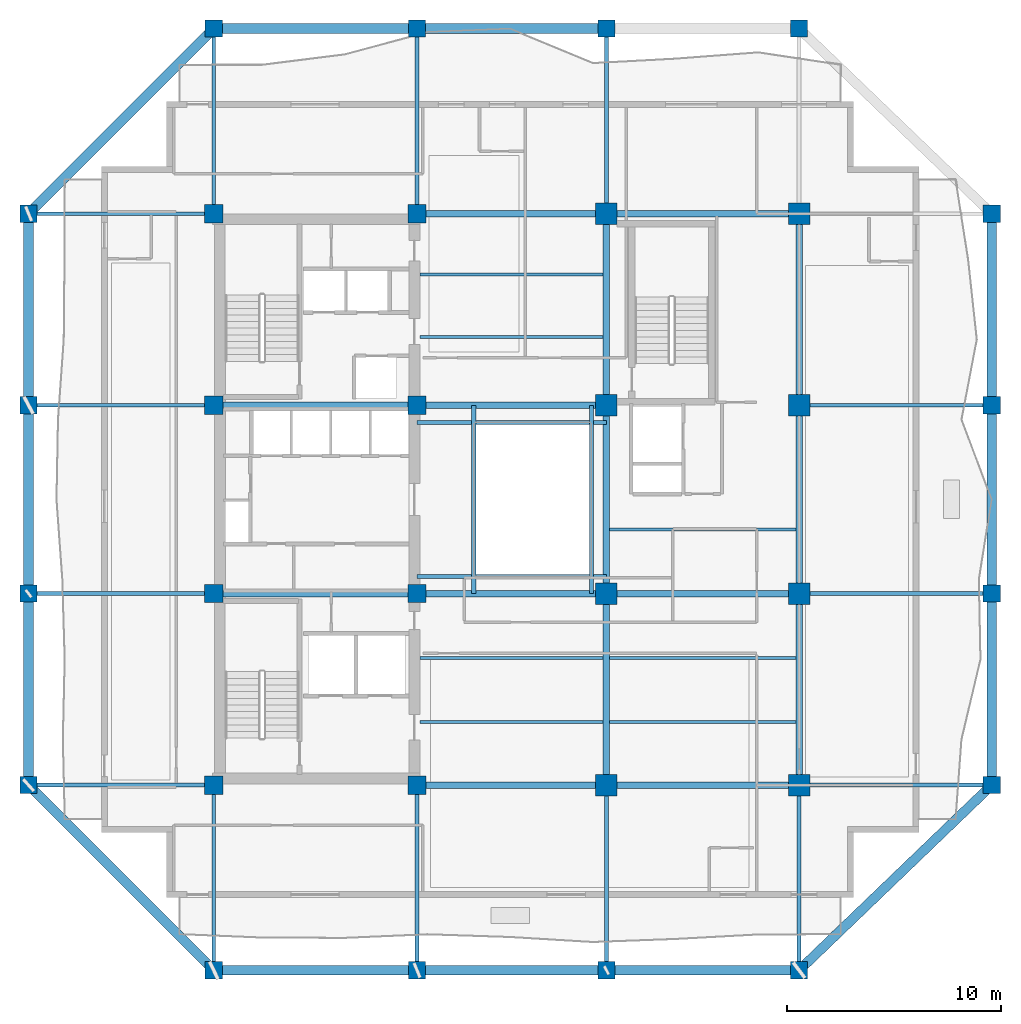
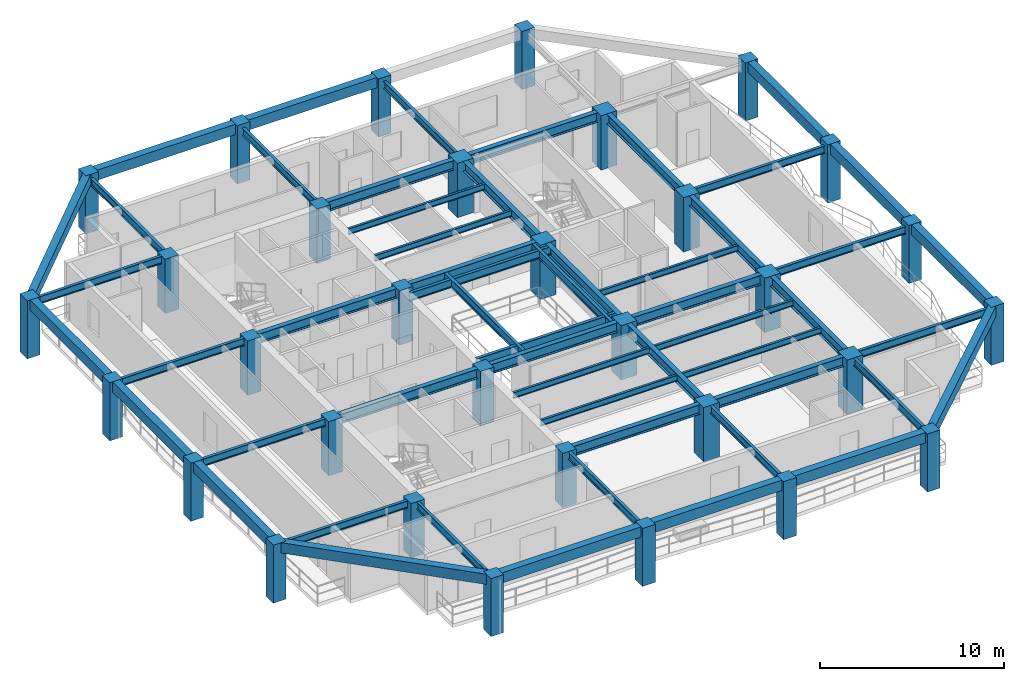
# One storey, part 1 of 10: 54 beams, 32 columns.
"""IFC4 building model written with IfcOpenShell, lengths in metres."""

from ifc_helpers import new_model, si_unit, direction, frame, origin, origin_2d, place, context, subcontext, project, spatial, rectangle, i_section, extrude, material, material_profile, profile_set, type_object, element, save


model = new_model("IFC4")

# Units and contexts
model_context = context("Model", 3, precision=1e-05, world=origin(), true_north=direction((0.0, 1.0)))
body_context = subcontext(model_context, "Body", "Model", "MODEL_VIEW")
ifc_project = project(units=[si_unit("LENGTHUNIT", "METRE"), si_unit("AREAUNIT", "SQUARE_METRE"), si_unit("VOLUMEUNIT", "CUBIC_METRE"), si_unit("PLANEANGLEUNIT", "RADIAN"), si_unit("MASSUNIT", "GRAM", prefix="KILO")], contexts=[model_context])

# Site, building, storey
site_placement = place(None, origin())
site = spatial("IfcSite", under=ifc_project, at=site_placement, CompositionType="ELEMENT")
building_placement = place(site_placement, origin())
building = spatial("IfcBuilding", under=site, at=building_placement, Name="Kundavana Baori Tower", CompositionType="ELEMENT")
storey_placement = place(building_placement, frame((0.0, 0.0, 111.699951171875)))
storey = spatial("IfcBuildingStorey", under=building, at=storey_placement, Name="L26", CompositionType="ELEMENT", Elevation=111.699951171875)

# Columns
ifc_material_1 = material(Name="Concrete C50/60", Category="concrete")
ifc_material_profile_1 = material_profile(ifc_material_1, rectangle(XDim=0.800048828125, YDim=0.800048828125, at=origin_2d()), Name="RC PF 800x800")
ifc_profile_set_1 = profile_set([ifc_material_profile_1], Name="Concrete C50/60")
column_type_1 = type_object("IfcColumnType", Name="COL-PF-800", PredefinedType="COLUMN", material=ifc_profile_set_1)
for number, where, z_axis, x_axis, name in (
    (1, (15.449951171875, 6.60009765625, 0.0), (0.0, 0.0, 1.0), (1.0, 0.0, 0.0), "L26 Stone-Clad Perimeter Frame Column PF-S1"),
    (2, (15.449951171875, 50.60009765625, 0.0), (0.0, 0.0, 1.0), (1.0, 0.0, 0.0), "L26 Stone-Clad Perimeter Frame Column PF-N1"),
    (3, (24.949951171875, 6.60009765625, 0.0), (0.0, 0.0, 1.0), (1.0, 0.0, 0.0), "L26 Stone-Clad Perimeter Frame Column PF-S2"),
    (4, (24.949951171875, 50.60009765625, 0.0), (0.0, 0.0, 1.0), (1.0, 0.0, 0.0), "L26 Stone-Clad Perimeter Frame Column PF-N2"),
    (5, (33.800048828125, 6.60009765625, 0.0), (0.0, 0.0, 1.0), (1.0, 0.0, 0.0), "L26 Stone-Clad Perimeter Frame Column PF-S3"),
    (6, (33.800048828125, 50.60009765625, 0.0), (0.0, 0.0, 1.0), (1.0, 0.0, 0.0), "L26 Stone-Clad Perimeter Frame Column PF-N3"),
    (7, (42.800048828125, 6.60009765625, 0.0), (0.0, 0.0, 1.0), (1.0, 0.0, 0.0), "L26 Stone-Clad Perimeter Frame Column PF-S4"),
    (8, (42.800048828125, 50.60009765625, 0.0), (0.0, 0.0, 1.0), (1.0, 0.0, 0.0), "L26 Stone-Clad Perimeter Frame Column PF-N4"),
    (9, (6.800048828125, 15.25, 0.0), (0.0, 0.0, 1.0), (1.0, 0.0, 0.0), "L26 Stone-Clad Perimeter Frame Column PF-W1"),
    (10, (51.800048828125, 15.25, 0.0), (0.0, 0.0, 1.0), (1.0, 0.0, 0.0), "L26 Stone-Clad Perimeter Frame Column PF-E1"),
    (11, (6.800048828125, 24.199951171875, 0.0), (0.0, 0.0, 1.0), (1.0, 0.0, 0.0), "L26 Stone-Clad Perimeter Frame Column PF-W2"),
    (12, (51.800048828125, 24.199951171875, 0.0), (0.0, 0.0, 1.0), (1.0, 0.0, 0.0), "L26 Stone-Clad Perimeter Frame Column PF-E2"),
    (13, (6.800048828125, 33.0, 0.0), (0.0, 0.0, 1.0), (1.0, 0.0, 0.0), "L26 Stone-Clad Perimeter Frame Column PF-W3"),
    (14, (51.800048828125, 33.0, 0.0), (0.0, 0.0, 1.0), (1.0, 0.0, 0.0), "L26 Stone-Clad Perimeter Frame Column PF-E3"),
    (15, (6.800048828125, 41.949951171875, 0.0), (0.0, 0.0, 1.0), (1.0, 0.0, 0.0), "L26 Stone-Clad Perimeter Frame Column PF-W4"),
    (16, (51.800048828125, 41.949951171875, 0.0), (0.0, 0.0, 1.0), (1.0, 0.0, 0.0), "L26 Stone-Clad Perimeter Frame Column PF-E4"),
):
    element("IfcColumn", number, at=place(storey_placement, frame(where, z_axis=z_axis, x_axis=x_axis)), inside=storey, type_object=column_type_1, Name=name, PredefinedType="COLUMN", context=body_context, shape_type="SweptSolid", body=[
        extrude(rectangle(XDim=0.800048828125, YDim=0.800048828125, at=origin_2d()), origin(), (0.0, 0.0, 1.0), 3.85009765625),
    ])
ifc_material_2 = material(Name="Concrete C50/60", Category="concrete")
ifc_material_profile_2 = material_profile(ifc_material_2, rectangle(XDim=1.0, YDim=1.0, at=origin_2d()), Name="RC 1000x1000")
ifc_profile_set_2 = profile_set([ifc_material_profile_2], Name="Concrete C50/60")
column_type_2 = type_object("IfcColumnType", Name="COL-RC-1000", PredefinedType="COLUMN", material=ifc_profile_set_2)
for number, where, z_axis, x_axis, name in (
    (17, (33.800048828125, 15.25, 0.0), (0.0, 0.0, 1.0), (1.0, 0.0, 0.0), "L26 Interior Column IC-5C"),
    (18, (33.800048828125, 24.199951171875, 0.0), (0.0, 0.0, 1.0), (1.0, 0.0, 0.0), "L26 Interior Column IC-5D"),
    (19, (33.800048828125, 33.0, 0.0), (0.0, 0.0, 1.0), (1.0, 0.0, 0.0), "L26 Interior Column IC-5E"),
    (20, (33.800048828125, 41.949951171875, 0.0), (0.0, 0.0, 1.0), (1.0, 0.0, 0.0), "L26 Interior Column IC-5F"),
    (21, (42.800048828125, 15.25, 0.0), (0.0, 0.0, 1.0), (1.0, 0.0, 0.0), "L26 Interior Column IC-6C"),
    (22, (42.800048828125, 24.199951171875, 0.0), (0.0, 0.0, 1.0), (1.0, 0.0, 0.0), "L26 Interior Column IC-6D"),
    (23, (42.800048828125, 33.0, 0.0), (0.0, 0.0, 1.0), (1.0, 0.0, 0.0), "L26 Interior Column IC-6E"),
    (24, (42.800048828125, 41.949951171875, 0.0), (0.0, 0.0, 1.0), (1.0, 0.0, 0.0), "L26 Interior Column IC-6F"),
):
    element("IfcColumn", number, at=place(storey_placement, frame(where, z_axis=z_axis, x_axis=x_axis)), inside=storey, type_object=column_type_2, Name=name, PredefinedType="COLUMN", context=body_context, shape_type="SweptSolid", body=[
        extrude(rectangle(XDim=1.0, YDim=1.0, at=origin_2d()), origin(), (0.0, 0.0, 1.0), 3.60009765625),
    ])
ifc_material_3 = material(Name="Concrete C50/60", Category="concrete")
ifc_material_profile_3 = material_profile(ifc_material_3, rectangle(XDim=0.85009765625, YDim=0.85009765625, at=origin_2d()), Name="RC 850x850")
ifc_profile_set_3 = profile_set([ifc_material_profile_3], Name="Concrete C50/60")
column_type_3 = type_object("IfcColumnType", Name="COL-RC-850", PredefinedType="COLUMN", material=ifc_profile_set_3)
for number, where, z_axis, x_axis, name in (
    (25, (15.449951171875, 15.25, 0.0), (0.0, 0.0, 1.0), (1.0, 0.0, 0.0), "L26 Interior Column IC-3C"),
    (26, (15.449951171875, 24.199951171875, 0.0), (0.0, 0.0, 1.0), (1.0, 0.0, 0.0), "L26 Interior Column IC-3D"),
    (27, (15.449951171875, 33.0, 0.0), (0.0, 0.0, 1.0), (1.0, 0.0, 0.0), "L26 Interior Column IC-3E"),
    (28, (15.449951171875, 41.949951171875, 0.0), (0.0, 0.0, 1.0), (1.0, 0.0, 0.0), "L26 Interior Column IC-3F"),
    (29, (24.949951171875, 15.25, 0.0), (0.0, 0.0, 1.0), (1.0, 0.0, 0.0), "L26 Interior Column IC-4C"),
    (30, (24.949951171875, 24.199951171875, 0.0), (0.0, 0.0, 1.0), (1.0, 0.0, 0.0), "L26 Interior Column IC-4D"),
    (31, (24.949951171875, 33.0, 0.0), (0.0, 0.0, 1.0), (1.0, 0.0, 0.0), "L26 Interior Column IC-4E"),
    (32, (24.949951171875, 41.949951171875, 0.0), (0.0, 0.0, 1.0), (1.0, 0.0, 0.0), "L26 Interior Column IC-4F"),
):
    element("IfcColumn", number, at=place(storey_placement, frame(where, z_axis=z_axis, x_axis=x_axis)), inside=storey, type_object=column_type_3, Name=name, PredefinedType="COLUMN", context=body_context, shape_type="SweptSolid", body=[
        extrude(rectangle(XDim=0.85009765625, YDim=0.85009765625, at=origin_2d()), origin(), (0.0, 0.0, 1.0), 3.60009765625),
    ])

# Beams
ifc_material_4 = material(Name="Structural Steel S355JR", Category="steel")
ifc_material_profile_4 = material_profile(ifc_material_4, i_section(OverallWidth=0.139892578125, OverallDepth=0.39990234375, WebThickness=0.0087890625, FlangeThickness=0.01611328125, FilletRadius=0.013916015625, at=origin_2d()), Name="ISMB 400")
ifc_profile_set_4 = profile_set([ifc_material_profile_4], Name="Structural Steel S355JR")
beam_type_1 = type_object("IfcBeamType", Name="BM-JST-400", PredefinedType="JOIST", material=ifc_profile_set_4)
for number, where, z_axis, x_axis, name in (
    (33, (25.080078125, 18.199951171875, 3.400146484375), (1.0, 0.0, 0.0), (0.0, 1.0, 0.0), "L26 Central Bay Composite Floor Joist C1"),
    (34, (25.080078125, 21.199951171875, 3.400146484375), (1.0, 0.0, 0.0), (0.0, 1.0, 0.0), "L26 Central Bay Composite Floor Joist C2"),
    (35, (25.080078125, 36.199951171875, 3.400146484375), (1.0, 0.0, 0.0), (0.0, 1.0, 0.0), "L26 Central Bay Composite Floor Joist C3"),
    (36, (25.080078125, 39.10009765625, 3.400146484375), (1.0, 0.0, 0.0), (0.0, 1.0, 0.0), "L26 Central Bay Composite Floor Joist C4"),
):
    element("IfcBeam", number, at=place(storey_placement, frame(where, z_axis=z_axis, x_axis=x_axis)), inside=storey, type_object=beam_type_1, Name=name, PredefinedType="JOIST", context=body_context, shape_type="SweptSolid", body=[
        extrude(i_section(OverallWidth=0.139892578125, OverallDepth=0.39990234375, WebThickness=0.0087890625, FlangeThickness=0.01611328125, FilletRadius=0.013916015625, at=origin_2d()), origin(), (0.0, 0.0, 1.0), 8.56982421875),
    ])
for number, where, z_axis, x_axis, name in (
    (37, (33.949951171875, 18.199951171875, 3.400146484375), (1.0, 0.0, 0.0), (0.0, 1.0, 0.0), "L26 East Bay Composite Floor Joist E1"),
    (38, (33.949951171875, 21.199951171875, 3.400146484375), (1.0, 0.0, 0.0), (0.0, 1.0, 0.0), "L26 East Bay Composite Floor Joist E2"),
    (39, (33.949951171875, 27.199951171875, 3.400146484375), (1.0, 0.0, 0.0), (0.0, 1.0, 0.0), "L26 East Bay Composite Floor Joist E3"),
):
    element("IfcBeam", number, at=place(storey_placement, frame(where, z_axis=z_axis, x_axis=x_axis)), inside=storey, type_object=beam_type_1, Name=name, PredefinedType="JOIST", context=body_context, shape_type="SweptSolid", body=[
        extrude(i_section(OverallWidth=0.139892578125, OverallDepth=0.39990234375, WebThickness=0.0087890625, FlangeThickness=0.01611328125, FilletRadius=0.013916015625, at=origin_2d()), origin(), (0.0, 0.0, 1.0), 8.699951171875),
    ])
ifc_material_5 = material(Name="Concrete C50/60", Category="concrete")
ifc_material_profile_5 = material_profile(ifc_material_5, rectangle(XDim=0.449951171875, YDim=0.679931640625, at=origin_2d()), Name="RC BM 450x680")
ifc_profile_set_5 = profile_set([ifc_material_profile_5], Name="Concrete C50/60")
beam_type_2 = type_object("IfcBeamType", Name="BM-PF-680", PredefinedType="SPANDREL", material=ifc_profile_set_5)
beam_1_placement = place(storey_placement, frame((15.449951171875, 6.60009765625, 3.510009765625), z_axis=(1.0, 0.0, 0.0), x_axis=(0.0, 1.0, 0.0)))
element("IfcBeam", 40, at=beam_1_placement, inside=storey, type_object=beam_type_2, Name="L26 Perimeter Frame Ring Beam S1", PredefinedType="SPANDREL", context=body_context, shape_type="SweptSolid", body=[
    extrude(rectangle(XDim=0.449951171875, YDim=0.679931640625, at=origin_2d()), origin(), (0.0, 0.0, 1.0), 9.5),
])
beam_2_placement = place(storey_placement, frame((24.949951171875, 6.60009765625, 3.510009765625), z_axis=(1.0, 0.0, 0.0), x_axis=(0.0, 1.0, 0.0)))
element("IfcBeam", 41, at=beam_2_placement, inside=storey, type_object=beam_type_2, Name="L26 Perimeter Frame Ring Beam S2", PredefinedType="SPANDREL", context=body_context, shape_type="SweptSolid", body=[
    extrude(rectangle(XDim=0.449951171875, YDim=0.679931640625, at=origin_2d()), origin(), (0.0, 0.0, 1.0), 8.85009765625),
])
beam_3_placement = place(storey_placement, frame((33.800048828125, 6.60009765625, 3.510009765625), z_axis=(1.0, 0.0, 0.0), x_axis=(0.0, 1.0, 0.0)))
element("IfcBeam", 42, at=beam_3_placement, inside=storey, type_object=beam_type_2, Name="L26 Perimeter Frame Ring Beam S3", PredefinedType="SPANDREL", context=body_context, shape_type="SweptSolid", body=[
    extrude(rectangle(XDim=0.449951171875, YDim=0.679931640625, at=origin_2d()), origin(), (0.0, 0.0, 1.0), 9.0),
])
beam_4_placement = place(storey_placement, frame((15.449951171875, 50.60009765625, 3.510009765625), z_axis=(1.0, 0.0, 0.0), x_axis=(0.0, 1.0, 0.0)))
element("IfcBeam", 43, at=beam_4_placement, inside=storey, type_object=beam_type_2, Name="L26 Perimeter Frame Ring Beam N1", PredefinedType="SPANDREL", context=body_context, shape_type="SweptSolid", body=[
    extrude(rectangle(XDim=0.449951171875, YDim=0.679931640625, at=origin_2d()), origin(), (0.0, 0.0, 1.0), 9.5),
])
beam_5_placement = place(storey_placement, frame((24.949951171875, 50.60009765625, 3.510009765625), z_axis=(1.0, 0.0, 0.0), x_axis=(0.0, 1.0, 0.0)))
element("IfcBeam", 44, at=beam_5_placement, inside=storey, type_object=beam_type_2, Name="L26 Perimeter Frame Ring Beam N2", PredefinedType="SPANDREL", context=body_context, shape_type="SweptSolid", body=[
    extrude(rectangle(XDim=0.449951171875, YDim=0.679931640625, at=origin_2d()), origin(), (0.0, 0.0, 1.0), 8.85009765625),
])
beam_6_placement = place(storey_placement, frame((6.800048828125, 15.25, 3.510009765625), z_axis=(0.0, 1.0, 0.0), x_axis=(-1.0, 0.0, 0.0)))
element("IfcBeam", 45, at=beam_6_placement, inside=storey, type_object=beam_type_2, Name="L26 Perimeter Frame Ring Beam W1", PredefinedType="SPANDREL", context=body_context, shape_type="SweptSolid", body=[
    extrude(rectangle(XDim=0.449951171875, YDim=0.679931640625, at=origin_2d()), origin(), (0.0, 0.0, 1.0), 8.949951171875),
])
beam_7_placement = place(storey_placement, frame((6.800048828125, 24.199951171875, 3.510009765625), z_axis=(0.0, 1.0, 0.0), x_axis=(-1.0, 0.0, 0.0)))
element("IfcBeam", 46, at=beam_7_placement, inside=storey, type_object=beam_type_2, Name="L26 Perimeter Frame Ring Beam W2", PredefinedType="SPANDREL", context=body_context, shape_type="SweptSolid", body=[
    extrude(rectangle(XDim=0.449951171875, YDim=0.679931640625, at=origin_2d()), origin(), (0.0, 0.0, 1.0), 8.800048828125),
])
for number, where, z_axis, x_axis, name in (
    (47, (6.800048828125, 33.0, 3.510009765625), (0.0, 1.0, 0.0), (-1.0, 0.0, 0.0), "L26 Perimeter Frame Ring Beam W3"),
    (48, (51.800048828125, 15.25, 3.510009765625), (0.0, 1.0, 0.0), (-1.0, 0.0, 0.0), "L26 Perimeter Frame Ring Beam E1"),
):
    element("IfcBeam", number, at=place(storey_placement, frame(where, z_axis=z_axis, x_axis=x_axis)), inside=storey, type_object=beam_type_2, Name=name, PredefinedType="SPANDREL", context=body_context, shape_type="SweptSolid", body=[
        extrude(rectangle(XDim=0.449951171875, YDim=0.679931640625, at=origin_2d()), origin(), (0.0, 0.0, 1.0), 8.949951171875),
    ])
beam_8_placement = place(storey_placement, frame((51.800048828125, 24.199951171875, 3.510009765625), z_axis=(0.0, 1.0, 0.0), x_axis=(-1.0, 0.0, 0.0)))
element("IfcBeam", 49, at=beam_8_placement, inside=storey, type_object=beam_type_2, Name="L26 Perimeter Frame Ring Beam E2", PredefinedType="SPANDREL", context=body_context, shape_type="SweptSolid", body=[
    extrude(rectangle(XDim=0.449951171875, YDim=0.679931640625, at=origin_2d()), origin(), (0.0, 0.0, 1.0), 8.800048828125),
])
beam_9_placement = place(storey_placement, frame((51.800048828125, 33.0, 3.510009765625), z_axis=(0.0, 1.0, 0.0), x_axis=(-1.0, 0.0, 0.0)))
element("IfcBeam", 50, at=beam_9_placement, inside=storey, type_object=beam_type_2, Name="L26 Perimeter Frame Ring Beam E3", PredefinedType="SPANDREL", context=body_context, shape_type="SweptSolid", body=[
    extrude(rectangle(XDim=0.449951171875, YDim=0.679931640625, at=origin_2d()), origin(), (0.0, 0.0, 1.0), 8.949951171875),
])
beam_10_placement = place(storey_placement, frame((15.449951171875, 6.60009765625, 3.510009765625), z_axis=(-0.707106781187, 0.707106781187, 0.0), x_axis=(-0.707106781187, -0.707106781187, 0.0)))
element("IfcBeam", 51, at=beam_10_placement, inside=storey, type_object=beam_type_2, Name="L26 Notched Corner Perimeter Beam SW", PredefinedType="SPANDREL", context=body_context, shape_type="SweptSolid", body=[
    extrude(rectangle(XDim=0.449951171875, YDim=0.679931640625, at=origin_2d()), origin(), (0.0, 0.0, 1.0), 12.23291015625),
])
beam_11_placement = place(storey_placement, frame((42.800048828125, 6.60009765625, 3.510009765625), z_axis=(0.720990894297, 0.692944536266, 0.0), x_axis=(-0.692944536266, 0.720990894297, 0.0)))
element("IfcBeam", 52, at=beam_11_placement, inside=storey, type_object=beam_type_2, Name="L26 Notched Corner Perimeter Beam SE", PredefinedType="SPANDREL", context=body_context, shape_type="SweptSolid", body=[
    extrude(rectangle(XDim=0.449951171875, YDim=0.679931640625, at=origin_2d()), origin(), (0.0, 0.0, 1.0), 12.48291015625),
])
beam_12_placement = place(storey_placement, frame((15.449951171875, 50.60009765625, 3.510009765625), z_axis=(-0.70709680233, -0.707116759903, 0.0), x_axis=(0.707116759903, -0.70709680233, 0.0)))
element("IfcBeam", 53, at=beam_12_placement, inside=storey, type_object=beam_type_2, Name="L26 Notched Corner Perimeter Beam NW", PredefinedType="SPANDREL", context=body_context, shape_type="SweptSolid", body=[
    extrude(rectangle(XDim=0.449951171875, YDim=0.679931640625, at=origin_2d()), origin(), (0.0, 0.0, 1.0), 12.23291015625),
])
ifc_material_6 = material(Name="Structural Steel S355JR", Category="steel")
ifc_material_profile_6 = material_profile(ifc_material_6, i_section(OverallWidth=0.18994140625, OverallDepth=0.550048828125, WebThickness=0.01123046875, FlangeThickness=0.019287109375, FilletRadius=0.01806640625, at=origin_2d()), Name="ISMB 550")
ifc_profile_set_6 = profile_set([ifc_material_profile_6], Name="Structural Steel S355JR")
beam_type_3 = type_object("IfcBeamType", Name="BM-ST-550", PredefinedType="BEAM", material=ifc_profile_set_6)
for number, where, z_axis, x_axis, name in (
    (54, (27.60009765625, 24.199951171875, 3.324951171875), (0.0, 1.0, 0.0), (-1.0, 0.0, 0.0), "L26 Atrium West Edge Beam"),
    (55, (33.10009765625, 24.199951171875, 3.324951171875), (0.0, 1.0, 0.0), (-1.0, 0.0, 0.0), "L26 Atrium East Edge Beam"),
):
    element("IfcBeam", number, at=place(storey_placement, frame(where, z_axis=z_axis, x_axis=x_axis)), inside=storey, type_object=beam_type_3, Name=name, PredefinedType="BEAM", context=body_context, shape_type="SweptSolid", body=[
        extrude(i_section(OverallWidth=0.18994140625, OverallDepth=0.550048828125, WebThickness=0.01123046875, FlangeThickness=0.019287109375, FilletRadius=0.01806640625, at=origin_2d()), origin(), (0.0, 0.0, 1.0), 8.800048828125),
    ])
for number, where, z_axis, x_axis, name in (
    (56, (24.949951171875, 25.0, 3.324951171875), (1.0, 0.0, 0.0), (0.0, 1.0, 0.0), "L26 Atrium South Edge Beam"),
    (57, (24.949951171875, 32.199951171875, 3.324951171875), (1.0, 0.0, 0.0), (0.0, 1.0, 0.0), "L26 Atrium North Edge Beam"),
):
    element("IfcBeam", number, at=place(storey_placement, frame(where, z_axis=z_axis, x_axis=x_axis)), inside=storey, type_object=beam_type_3, Name=name, PredefinedType="BEAM", context=body_context, shape_type="SweptSolid", body=[
        extrude(i_section(OverallWidth=0.18994140625, OverallDepth=0.550048828125, WebThickness=0.01123046875, FlangeThickness=0.019287109375, FilletRadius=0.01806640625, at=origin_2d()), origin(), (0.0, 0.0, 1.0), 8.85009765625),
    ])
ifc_material_7 = material(Name="Structural Steel S355JR", Category="steel")
ifc_material_profile_7 = material_profile(ifc_material_7, i_section(OverallWidth=0.300048828125, OverallDepth=0.64990234375, WebThickness=0.013427734375, FlangeThickness=0.02197265625, FilletRadius=0.02392578125, at=origin_2d()), Name="NPB 650x300x155")
ifc_profile_set_7 = profile_set([ifc_material_profile_7], Name="Structural Steel S355JR")
beam_type_4 = type_object("IfcBeamType", Name="BM-ST-650", PredefinedType="BEAM", material=ifc_profile_set_7)
beam_13_placement = place(storey_placement, frame((24.949951171875, 15.25, 3.275146484375), z_axis=(1.0, 0.0, 0.0), x_axis=(0.0, 1.0, 0.0)))
element("IfcBeam", 58, at=beam_13_placement, inside=storey, type_object=beam_type_4, Name="L26 Primary Grid Girder GX-1-2", PredefinedType="BEAM", context=body_context, shape_type="SweptSolid", body=[
    extrude(i_section(OverallWidth=0.300048828125, OverallDepth=0.64990234375, WebThickness=0.013427734375, FlangeThickness=0.02197265625, FilletRadius=0.02392578125, at=origin_2d()), origin(), (0.0, 0.0, 1.0), 8.85009765625),
])
beam_14_placement = place(storey_placement, frame((33.800048828125, 15.25, 3.275146484375), z_axis=(1.0, 0.0, 0.0), x_axis=(0.0, 1.0, 0.0)))
element("IfcBeam", 59, at=beam_14_placement, inside=storey, type_object=beam_type_4, Name="L26 Primary Grid Girder GX-1-3", PredefinedType="BEAM", context=body_context, shape_type="SweptSolid", body=[
    extrude(i_section(OverallWidth=0.300048828125, OverallDepth=0.64990234375, WebThickness=0.013427734375, FlangeThickness=0.02197265625, FilletRadius=0.02392578125, at=origin_2d()), origin(), (0.0, 0.0, 1.0), 9.0),
])
beam_15_placement = place(storey_placement, frame((15.449951171875, 24.199951171875, 3.275146484375), z_axis=(1.0, 0.0, 0.0), x_axis=(0.0, 1.0, 0.0)))
element("IfcBeam", 60, at=beam_15_placement, inside=storey, type_object=beam_type_4, Name="L26 Primary Grid Girder GX-2-1", PredefinedType="BEAM", context=body_context, shape_type="SweptSolid", body=[
    extrude(i_section(OverallWidth=0.300048828125, OverallDepth=0.64990234375, WebThickness=0.013427734375, FlangeThickness=0.02197265625, FilletRadius=0.02392578125, at=origin_2d()), origin(), (0.0, 0.0, 1.0), 9.5),
])
beam_16_placement = place(storey_placement, frame((24.949951171875, 24.199951171875, 3.275146484375), z_axis=(1.0, 0.0, 0.0), x_axis=(0.0, 1.0, 0.0)))
element("IfcBeam", 61, at=beam_16_placement, inside=storey, type_object=beam_type_4, Name="L26 Primary Grid Girder GX-2-2", PredefinedType="BEAM", context=body_context, shape_type="SweptSolid", body=[
    extrude(i_section(OverallWidth=0.300048828125, OverallDepth=0.64990234375, WebThickness=0.013427734375, FlangeThickness=0.02197265625, FilletRadius=0.02392578125, at=origin_2d()), origin(), (0.0, 0.0, 1.0), 8.85009765625),
])
beam_17_placement = place(storey_placement, frame((33.800048828125, 24.199951171875, 3.275146484375), z_axis=(1.0, 0.0, 0.0), x_axis=(0.0, 1.0, 0.0)))
element("IfcBeam", 62, at=beam_17_placement, inside=storey, type_object=beam_type_4, Name="L26 Primary Grid Girder GX-2-3", PredefinedType="BEAM", context=body_context, shape_type="SweptSolid", body=[
    extrude(i_section(OverallWidth=0.300048828125, OverallDepth=0.64990234375, WebThickness=0.013427734375, FlangeThickness=0.02197265625, FilletRadius=0.02392578125, at=origin_2d()), origin(), (0.0, 0.0, 1.0), 9.0),
])
beam_18_placement = place(storey_placement, frame((15.449951171875, 33.0, 3.275146484375), z_axis=(1.0, 0.0, 0.0), x_axis=(0.0, 1.0, 0.0)))
element("IfcBeam", 63, at=beam_18_placement, inside=storey, type_object=beam_type_4, Name="L26 Primary Grid Girder GX-3-1", PredefinedType="BEAM", context=body_context, shape_type="SweptSolid", body=[
    extrude(i_section(OverallWidth=0.300048828125, OverallDepth=0.64990234375, WebThickness=0.013427734375, FlangeThickness=0.02197265625, FilletRadius=0.02392578125, at=origin_2d()), origin(), (0.0, 0.0, 1.0), 9.5),
])
for number, where, z_axis, x_axis, name in (
    (64, (24.949951171875, 33.0, 3.275146484375), (1.0, 0.0, 0.0), (0.0, 1.0, 0.0), "L26 Primary Grid Girder GX-3-2"),
    (65, (24.949951171875, 41.949951171875, 3.275146484375), (1.0, 0.0, 0.0), (0.0, 1.0, 0.0), "L26 Primary Grid Girder GX-4-2"),
):
    element("IfcBeam", number, at=place(storey_placement, frame(where, z_axis=z_axis, x_axis=x_axis)), inside=storey, type_object=beam_type_4, Name=name, PredefinedType="BEAM", context=body_context, shape_type="SweptSolid", body=[
        extrude(i_section(OverallWidth=0.300048828125, OverallDepth=0.64990234375, WebThickness=0.013427734375, FlangeThickness=0.02197265625, FilletRadius=0.02392578125, at=origin_2d()), origin(), (0.0, 0.0, 1.0), 8.85009765625),
    ])
beam_19_placement = place(storey_placement, frame((33.800048828125, 41.949951171875, 3.275146484375), z_axis=(1.0, 0.0, 0.0), x_axis=(0.0, 1.0, 0.0)))
element("IfcBeam", 66, at=beam_19_placement, inside=storey, type_object=beam_type_4, Name="L26 Primary Grid Girder GX-4-3", PredefinedType="BEAM", context=body_context, shape_type="SweptSolid", body=[
    extrude(i_section(OverallWidth=0.300048828125, OverallDepth=0.64990234375, WebThickness=0.013427734375, FlangeThickness=0.02197265625, FilletRadius=0.02392578125, at=origin_2d()), origin(), (0.0, 0.0, 1.0), 9.0),
])
beam_20_placement = place(storey_placement, frame((33.800048828125, 15.25, 3.275146484375), z_axis=(0.0, 1.0, 0.0), x_axis=(-1.0, 0.0, 0.0)))
element("IfcBeam", 67, at=beam_20_placement, inside=storey, type_object=beam_type_4, Name="L26 Primary Grid Girder GY-3-1", PredefinedType="BEAM", context=body_context, shape_type="SweptSolid", body=[
    extrude(i_section(OverallWidth=0.300048828125, OverallDepth=0.64990234375, WebThickness=0.013427734375, FlangeThickness=0.02197265625, FilletRadius=0.02392578125, at=origin_2d()), origin(), (0.0, 0.0, 1.0), 8.949951171875),
])
beam_21_placement = place(storey_placement, frame((33.800048828125, 24.199951171875, 3.275146484375), z_axis=(0.0, 1.0, 0.0), x_axis=(-1.0, 0.0, 0.0)))
element("IfcBeam", 68, at=beam_21_placement, inside=storey, type_object=beam_type_4, Name="L26 Primary Grid Girder GY-3-2", PredefinedType="BEAM", context=body_context, shape_type="SweptSolid", body=[
    extrude(i_section(OverallWidth=0.300048828125, OverallDepth=0.64990234375, WebThickness=0.013427734375, FlangeThickness=0.02197265625, FilletRadius=0.02392578125, at=origin_2d()), origin(), (0.0, 0.0, 1.0), 8.800048828125),
])
for number, where, z_axis, x_axis, name in (
    (69, (33.800048828125, 33.0, 3.275146484375), (0.0, 1.0, 0.0), (-1.0, 0.0, 0.0), "L26 Primary Grid Girder GY-3-3"),
    (70, (42.800048828125, 15.25, 3.275146484375), (0.0, 1.0, 0.0), (-1.0, 0.0, 0.0), "L26 Primary Grid Girder GY-4-1"),
):
    element("IfcBeam", number, at=place(storey_placement, frame(where, z_axis=z_axis, x_axis=x_axis)), inside=storey, type_object=beam_type_4, Name=name, PredefinedType="BEAM", context=body_context, shape_type="SweptSolid", body=[
        extrude(i_section(OverallWidth=0.300048828125, OverallDepth=0.64990234375, WebThickness=0.013427734375, FlangeThickness=0.02197265625, FilletRadius=0.02392578125, at=origin_2d()), origin(), (0.0, 0.0, 1.0), 8.949951171875),
    ])
beam_22_placement = place(storey_placement, frame((42.800048828125, 24.199951171875, 3.275146484375), z_axis=(0.0, 1.0, 0.0), x_axis=(-1.0, 0.0, 0.0)))
element("IfcBeam", 71, at=beam_22_placement, inside=storey, type_object=beam_type_4, Name="L26 Primary Grid Girder GY-4-2", PredefinedType="BEAM", context=body_context, shape_type="SweptSolid", body=[
    extrude(i_section(OverallWidth=0.300048828125, OverallDepth=0.64990234375, WebThickness=0.013427734375, FlangeThickness=0.02197265625, FilletRadius=0.02392578125, at=origin_2d()), origin(), (0.0, 0.0, 1.0), 8.800048828125),
])
beam_23_placement = place(storey_placement, frame((42.800048828125, 33.0, 3.275146484375), z_axis=(0.0, 1.0, 0.0), x_axis=(-1.0, 0.0, 0.0)))
element("IfcBeam", 72, at=beam_23_placement, inside=storey, type_object=beam_type_4, Name="L26 Primary Grid Girder GY-4-3", PredefinedType="BEAM", context=body_context, shape_type="SweptSolid", body=[
    extrude(i_section(OverallWidth=0.300048828125, OverallDepth=0.64990234375, WebThickness=0.013427734375, FlangeThickness=0.02197265625, FilletRadius=0.02392578125, at=origin_2d()), origin(), (0.0, 0.0, 1.0), 8.949951171875),
])
ifc_material_8 = material(Name="Structural Steel S355JR", Category="steel")
ifc_material_profile_8 = material_profile(ifc_material_8, i_section(OverallWidth=0.179931640625, OverallDepth=0.5, WebThickness=0.01025390625, FlangeThickness=0.01708984375, FilletRadius=0.01708984375, at=origin_2d()), Name="ISMB 500")
ifc_profile_set_8 = profile_set([ifc_material_profile_8], Name="Structural Steel S355JR")
beam_type_5 = type_object("IfcBeamType", Name="BM-TIE-500", PredefinedType="BEAM", material=ifc_profile_set_8)
beam_24_placement = place(storey_placement, frame((15.449951171875, 15.25, 3.35009765625), z_axis=(0.0, -1.0, 0.0), x_axis=(1.0, 0.0, 0.0)))
element("IfcBeam", 73, at=beam_24_placement, inside=storey, type_object=beam_type_5, Name="L26 South Radial Loggia Tie Beam S1", PredefinedType="BEAM", context=body_context, shape_type="SweptSolid", body=[
    extrude(i_section(OverallWidth=0.179931640625, OverallDepth=0.5, WebThickness=0.01025390625, FlangeThickness=0.01708984375, FilletRadius=0.01708984375, at=origin_2d()), origin(), (0.0, 0.0, 1.0), 8.64990234375),
])
beam_25_placement = place(storey_placement, frame((15.449951171875, 41.949951171875, 3.35009765625), z_axis=(0.0, 1.0, 0.0), x_axis=(-1.0, 0.0, 0.0)))
element("IfcBeam", 74, at=beam_25_placement, inside=storey, type_object=beam_type_5, Name="L26 North Radial Loggia Tie Beam N1", PredefinedType="BEAM", context=body_context, shape_type="SweptSolid", body=[
    extrude(i_section(OverallWidth=0.179931640625, OverallDepth=0.5, WebThickness=0.01025390625, FlangeThickness=0.01708984375, FilletRadius=0.01708984375, at=origin_2d()), origin(), (0.0, 0.0, 1.0), 8.650146484375),
])
beam_26_placement = place(storey_placement, frame((24.949951171875, 15.25, 3.35009765625), z_axis=(0.0, -1.0, 0.0), x_axis=(1.0, 0.0, 0.0)))
element("IfcBeam", 75, at=beam_26_placement, inside=storey, type_object=beam_type_5, Name="L26 South Radial Loggia Tie Beam S2", PredefinedType="BEAM", context=body_context, shape_type="SweptSolid", body=[
    extrude(i_section(OverallWidth=0.179931640625, OverallDepth=0.5, WebThickness=0.01025390625, FlangeThickness=0.01708984375, FilletRadius=0.01708984375, at=origin_2d()), origin(), (0.0, 0.0, 1.0), 8.64990234375),
])
beam_27_placement = place(storey_placement, frame((24.949951171875, 41.949951171875, 3.35009765625), z_axis=(0.0, 1.0, 0.0), x_axis=(-1.0, 0.0, 0.0)))
element("IfcBeam", 76, at=beam_27_placement, inside=storey, type_object=beam_type_5, Name="L26 North Radial Loggia Tie Beam N2", PredefinedType="BEAM", context=body_context, shape_type="SweptSolid", body=[
    extrude(i_section(OverallWidth=0.179931640625, OverallDepth=0.5, WebThickness=0.01025390625, FlangeThickness=0.01708984375, FilletRadius=0.01708984375, at=origin_2d()), origin(), (0.0, 0.0, 1.0), 8.650146484375),
])
beam_28_placement = place(storey_placement, frame((33.800048828125, 15.25, 3.35009765625), z_axis=(0.0, -1.0, 0.0), x_axis=(1.0, 0.0, 0.0)))
element("IfcBeam", 77, at=beam_28_placement, inside=storey, type_object=beam_type_5, Name="L26 South Radial Loggia Tie Beam S3", PredefinedType="BEAM", context=body_context, shape_type="SweptSolid", body=[
    extrude(i_section(OverallWidth=0.179931640625, OverallDepth=0.5, WebThickness=0.01025390625, FlangeThickness=0.01708984375, FilletRadius=0.01708984375, at=origin_2d()), origin(), (0.0, 0.0, 1.0), 8.64990234375),
])
beam_29_placement = place(storey_placement, frame((33.800048828125, 41.949951171875, 3.35009765625), z_axis=(0.0, 1.0, 0.0), x_axis=(-1.0, 0.0, 0.0)))
element("IfcBeam", 78, at=beam_29_placement, inside=storey, type_object=beam_type_5, Name="L26 North Radial Loggia Tie Beam N3", PredefinedType="BEAM", context=body_context, shape_type="SweptSolid", body=[
    extrude(i_section(OverallWidth=0.179931640625, OverallDepth=0.5, WebThickness=0.01025390625, FlangeThickness=0.01708984375, FilletRadius=0.01708984375, at=origin_2d()), origin(), (0.0, 0.0, 1.0), 8.650146484375),
])
for number, where, z_axis, x_axis, name in (
    (79, (42.800048828125, 15.25, 3.35009765625), (0.0, -1.0, 0.0), (1.0, 0.0, 0.0), "L26 South Radial Loggia Tie Beam S4"),
    (80, (15.449951171875, 15.25, 3.35009765625), (-1.0, 0.0, 0.0), (0.0, -1.0, 0.0), "L26 West Radial Loggia Tie Beam W1"),
):
    element("IfcBeam", number, at=place(storey_placement, frame(where, z_axis=z_axis, x_axis=x_axis)), inside=storey, type_object=beam_type_5, Name=name, PredefinedType="BEAM", context=body_context, shape_type="SweptSolid", body=[
        extrude(i_section(OverallWidth=0.179931640625, OverallDepth=0.5, WebThickness=0.01025390625, FlangeThickness=0.01708984375, FilletRadius=0.01708984375, at=origin_2d()), origin(), (0.0, 0.0, 1.0), 8.64990234375),
    ])
beam_30_placement = place(storey_placement, frame((42.800048828125, 15.25, 3.35009765625), z_axis=(1.0, 0.0, 0.0), x_axis=(0.0, 1.0, 0.0)))
element("IfcBeam", 81, at=beam_30_placement, inside=storey, type_object=beam_type_5, Name="L26 East Radial Loggia Tie Beam E1", PredefinedType="BEAM", context=body_context, shape_type="SweptSolid", body=[
    extrude(i_section(OverallWidth=0.179931640625, OverallDepth=0.5, WebThickness=0.01025390625, FlangeThickness=0.01708984375, FilletRadius=0.01708984375, at=origin_2d()), origin(), (0.0, 0.0, 1.0), 9.0),
])
beam_31_placement = place(storey_placement, frame((15.449951171875, 24.199951171875, 3.35009765625), z_axis=(-1.0, 0.0, 0.0), x_axis=(0.0, -1.0, 0.0)))
element("IfcBeam", 82, at=beam_31_placement, inside=storey, type_object=beam_type_5, Name="L26 West Radial Loggia Tie Beam W2", PredefinedType="BEAM", context=body_context, shape_type="SweptSolid", body=[
    extrude(i_section(OverallWidth=0.179931640625, OverallDepth=0.5, WebThickness=0.01025390625, FlangeThickness=0.01708984375, FilletRadius=0.01708984375, at=origin_2d()), origin(), (0.0, 0.0, 1.0), 8.64990234375),
])
beam_32_placement = place(storey_placement, frame((42.800048828125, 24.199951171875, 3.35009765625), z_axis=(1.0, 0.0, 0.0), x_axis=(0.0, 1.0, 0.0)))
element("IfcBeam", 83, at=beam_32_placement, inside=storey, type_object=beam_type_5, Name="L26 East Radial Loggia Tie Beam E2", PredefinedType="BEAM", context=body_context, shape_type="SweptSolid", body=[
    extrude(i_section(OverallWidth=0.179931640625, OverallDepth=0.5, WebThickness=0.01025390625, FlangeThickness=0.01708984375, FilletRadius=0.01708984375, at=origin_2d()), origin(), (0.0, 0.0, 1.0), 9.0),
])
beam_33_placement = place(storey_placement, frame((15.449951171875, 33.0, 3.35009765625), z_axis=(-1.0, 0.0, 0.0), x_axis=(0.0, -1.0, 0.0)))
element("IfcBeam", 84, at=beam_33_placement, inside=storey, type_object=beam_type_5, Name="L26 West Radial Loggia Tie Beam W3", PredefinedType="BEAM", context=body_context, shape_type="SweptSolid", body=[
    extrude(i_section(OverallWidth=0.179931640625, OverallDepth=0.5, WebThickness=0.01025390625, FlangeThickness=0.01708984375, FilletRadius=0.01708984375, at=origin_2d()), origin(), (0.0, 0.0, 1.0), 8.64990234375),
])
beam_34_placement = place(storey_placement, frame((42.800048828125, 33.0, 3.35009765625), z_axis=(1.0, 0.0, 0.0), x_axis=(0.0, 1.0, 0.0)))
element("IfcBeam", 85, at=beam_34_placement, inside=storey, type_object=beam_type_5, Name="L26 East Radial Loggia Tie Beam E3", PredefinedType="BEAM", context=body_context, shape_type="SweptSolid", body=[
    extrude(i_section(OverallWidth=0.179931640625, OverallDepth=0.5, WebThickness=0.01025390625, FlangeThickness=0.01708984375, FilletRadius=0.01708984375, at=origin_2d()), origin(), (0.0, 0.0, 1.0), 9.0),
])
beam_35_placement = place(storey_placement, frame((15.449951171875, 41.949951171875, 3.35009765625), z_axis=(-1.0, 0.0, 0.0), x_axis=(0.0, -1.0, 0.0)))
element("IfcBeam", 86, at=beam_35_placement, inside=storey, type_object=beam_type_5, Name="L26 West Radial Loggia Tie Beam W4", PredefinedType="BEAM", context=body_context, shape_type="SweptSolid", body=[
    extrude(i_section(OverallWidth=0.179931640625, OverallDepth=0.5, WebThickness=0.01025390625, FlangeThickness=0.01708984375, FilletRadius=0.01708984375, at=origin_2d()), origin(), (0.0, 0.0, 1.0), 8.64990234375),
])

save(model, "model.ifc")
